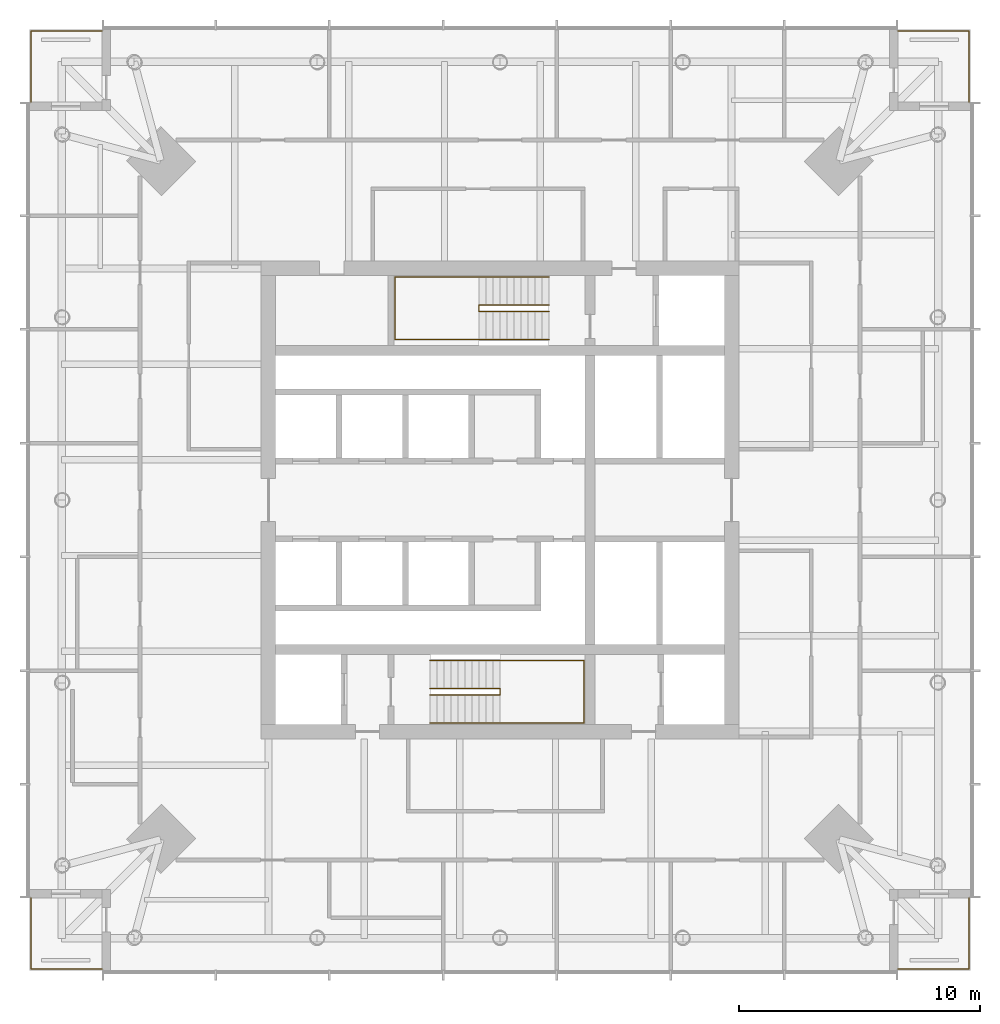
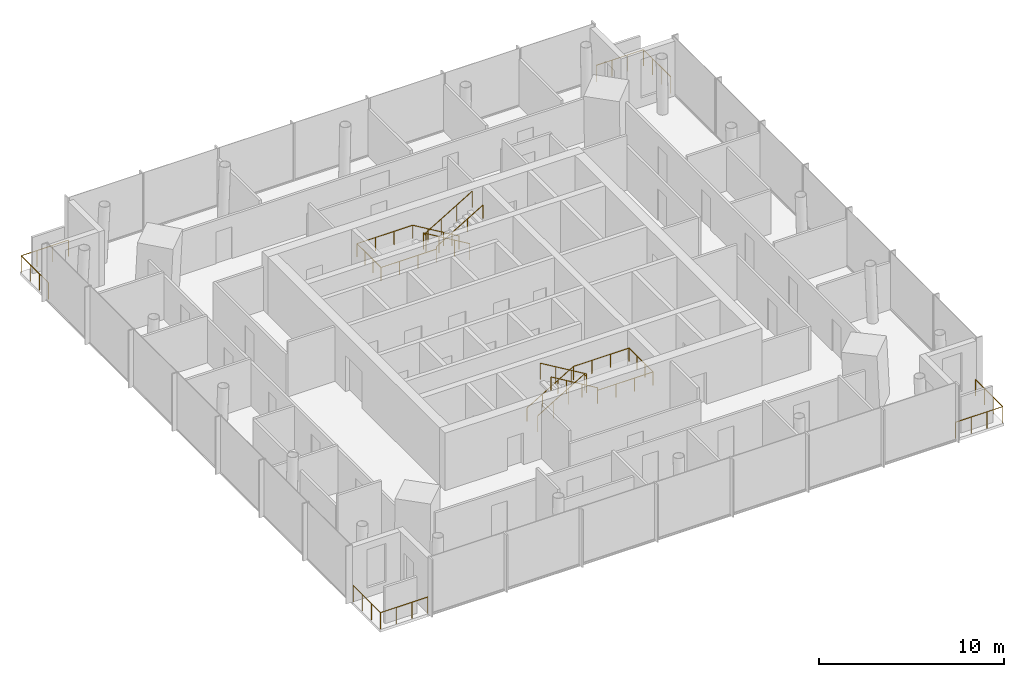
# One storey, part 7 of 7: 8 railings.
"""IFC4 building model written with IfcOpenShell, lengths in metres."""

from ifc_helpers import new_model, si_unit, direction, frame, origin, origin_2d, place, context, subcontext, project, spatial, circle, extrude, material, type_object, element, save


model = new_model("IFC4")

# Units and contexts
model_context = context("Model", 3, precision=1e-05, world=origin(), true_north=direction((0.0, 1.0)))
body_context = subcontext(model_context, "Body", "Model", "MODEL_VIEW")
ifc_project = project(units=[si_unit("LENGTHUNIT", "METRE"), si_unit("AREAUNIT", "SQUARE_METRE"), si_unit("VOLUMEUNIT", "CUBIC_METRE"), si_unit("PLANEANGLEUNIT", "RADIAN"), si_unit("MASSUNIT", "GRAM", prefix="KILO")], contexts=[model_context])

# Site, building, storey
site_placement = place(None, origin())
site = spatial("IfcSite", under=ifc_project, at=site_placement, CompositionType="ELEMENT")
building_placement = place(site_placement, origin())
building = spatial("IfcBuilding", under=site, at=building_placement, Name="Ostroluk Exchange", CompositionType="ELEMENT")
storey_placement = place(building_placement, frame((0.0, 0.0, 203.39990234375)))
storey = spatial("IfcBuildingStorey", under=building, at=storey_placement, Name="L52", CompositionType="ELEMENT", Elevation=203.39990234375)

# Railings
ifc_material_1 = material(Name="Stainless steel", Category="steel")
railing_type_1 = type_object("IfcRailingType", Name="Guard 1100 stainless steel", PredefinedType="GUARDRAIL", material=ifc_material_1)
railing_1_placement = place(storey_placement, frame((61.5, 26.550048828125, 0.0)))
element("IfcRailing", 1, at=railing_1_placement, inside=storey, type_object=railing_type_1, Name="Office tower SE balcony guard L52", PredefinedType="GUARDRAIL", context=body_context, shape_type="SweptSolid", body=[
    extrude(circle(Radius=0.02392578125, at=origin_2d()), frame((0.0, 0.0, 1.076171875), z_axis=(1.0, 0.0, 0.0), x_axis=(0.0, 1.0, 0.0)), (0.0, 0.0, 1.0), 2.949951171875),
    extrude(circle(Radius=0.02392578125, at=origin_2d()), frame((2.949951171875, 0.0, 1.076171875), z_axis=(0.0, 1.0, 0.0), x_axis=(-1.0, 0.0, 0.0)), (0.0, 0.0, 1.0), 2.949951171875),
    extrude(circle(Radius=0.02099609375, at=origin_2d()), origin(), (0.0, 0.0, 1.0), 1.052001953125),
    extrude(circle(Radius=0.02099609375, at=origin_2d()), frame((0.9833984375, 0.0, 0.0)), (0.0, 0.0, 1.0), 1.052001953125),
    extrude(circle(Radius=0.02099609375, at=origin_2d()), frame((1.966552734375, 0.0, 0.0)), (0.0, 0.0, 1.0), 1.052001953125),
    extrude(circle(Radius=0.02099609375, at=origin_2d()), frame((2.949951171875, 0.0, 0.0)), (0.0, 0.0, 1.0), 1.052001953125),
    extrude(circle(Radius=0.02099609375, at=origin_2d()), frame((2.949951171875, 0.9833984375, 0.0)), (0.0, 0.0, 1.0), 1.052001953125),
    extrude(circle(Radius=0.02099609375, at=origin_2d()), frame((2.949951171875, 1.966552734375, 0.0)), (0.0, 0.0, 1.0), 1.052001953125),
    extrude(circle(Radius=0.02099609375, at=origin_2d()), frame((2.949951171875, 2.949951171875, 0.0)), (0.0, 0.0, 1.0), 1.052001953125),
])
railing_2_placement = place(storey_placement, frame((61.5, 65.449951171875, 0.0)))
element("IfcRailing", 2, at=railing_2_placement, inside=storey, type_object=railing_type_1, Name="Office tower NE balcony guard L52", PredefinedType="GUARDRAIL", context=body_context, shape_type="SweptSolid", body=[
    extrude(circle(Radius=0.02392578125, at=origin_2d()), frame((0.0, 0.0, 1.076171875), z_axis=(1.0, 0.0, 0.0), x_axis=(0.0, 1.0, 0.0)), (0.0, 0.0, 1.0), 2.949951171875),
    extrude(circle(Radius=0.02392578125, at=origin_2d()), frame((2.949951171875, 0.0, 1.076171875), z_axis=(0.0, -1.0, 0.0), x_axis=(1.0, 0.0, 0.0)), (0.0, 0.0, 1.0), 2.949951171875),
    extrude(circle(Radius=0.02099609375, at=origin_2d()), origin(), (0.0, 0.0, 1.0), 1.052001953125),
    extrude(circle(Radius=0.02099609375, at=origin_2d()), frame((0.9833984375, 0.0, 0.0)), (0.0, 0.0, 1.0), 1.052001953125),
    extrude(circle(Radius=0.02099609375, at=origin_2d()), frame((1.966552734375, 0.0, 0.0)), (0.0, 0.0, 1.0), 1.052001953125),
    extrude(circle(Radius=0.02099609375, at=origin_2d()), frame((2.949951171875, 0.0, 0.0)), (0.0, 0.0, 1.0), 1.052001953125),
    extrude(circle(Radius=0.02099609375, at=origin_2d()), frame((2.949951171875, -0.9833984375, 0.0)), (0.0, 0.0, 1.0), 1.052001953125),
    extrude(circle(Radius=0.02099609375, at=origin_2d()), frame((2.949951171875, -1.966552734375, 0.0)), (0.0, 0.0, 1.0), 1.052001953125),
    extrude(circle(Radius=0.02099609375, at=origin_2d()), frame((2.949951171875, -2.949951171875, 0.0)), (0.0, 0.0, 1.0), 1.052001953125),
])
railing_3_placement = place(storey_placement, frame((28.5, 65.449951171875, 0.0)))
element("IfcRailing", 3, at=railing_3_placement, inside=storey, type_object=railing_type_1, Name="Office tower NW balcony guard L52", PredefinedType="GUARDRAIL", context=body_context, shape_type="SweptSolid", body=[
    extrude(circle(Radius=0.02392578125, at=origin_2d()), frame((0.0, 0.0, 1.076171875), z_axis=(-1.0, 0.0, 0.0), x_axis=(0.0, -1.0, 0.0)), (0.0, 0.0, 1.0), 2.949951171875),
    extrude(circle(Radius=0.02392578125, at=origin_2d()), frame((-2.949951171875, 0.0, 1.076171875), z_axis=(0.0, -1.0, 0.0), x_axis=(1.0, 0.0, 0.0)), (0.0, 0.0, 1.0), 2.949951171875),
    extrude(circle(Radius=0.02099609375, at=origin_2d()), origin(), (0.0, 0.0, 1.0), 1.052001953125),
    extrude(circle(Radius=0.02099609375, at=origin_2d()), frame((-0.9833984375, 0.0, 0.0)), (0.0, 0.0, 1.0), 1.052001953125),
    extrude(circle(Radius=0.02099609375, at=origin_2d()), frame((-1.966552734375, 0.0, 0.0)), (0.0, 0.0, 1.0), 1.052001953125),
    extrude(circle(Radius=0.02099609375, at=origin_2d()), frame((-2.949951171875, 0.0, 0.0)), (0.0, 0.0, 1.0), 1.052001953125),
    extrude(circle(Radius=0.02099609375, at=origin_2d()), frame((-2.949951171875, -0.9833984375, 0.0)), (0.0, 0.0, 1.0), 1.052001953125),
    extrude(circle(Radius=0.02099609375, at=origin_2d()), frame((-2.949951171875, -1.966552734375, 0.0)), (0.0, 0.0, 1.0), 1.052001953125),
    extrude(circle(Radius=0.02099609375, at=origin_2d()), frame((-2.949951171875, -2.949951171875, 0.0)), (0.0, 0.0, 1.0), 1.052001953125),
])
railing_4_placement = place(storey_placement, frame((28.5, 26.550048828125, 0.0)))
element("IfcRailing", 4, at=railing_4_placement, inside=storey, type_object=railing_type_1, Name="Office tower SW balcony guard L52", PredefinedType="GUARDRAIL", context=body_context, shape_type="SweptSolid", body=[
    extrude(circle(Radius=0.02392578125, at=origin_2d()), frame((0.0, 0.0, 1.076171875), z_axis=(-1.0, 0.0, 0.0), x_axis=(0.0, -1.0, 0.0)), (0.0, 0.0, 1.0), 2.949951171875),
    extrude(circle(Radius=0.02392578125, at=origin_2d()), frame((-2.949951171875, 0.0, 1.076171875), z_axis=(0.0, 1.0, 0.0), x_axis=(-1.0, 0.0, 0.0)), (0.0, 0.0, 1.0), 2.949951171875),
    extrude(circle(Radius=0.02099609375, at=origin_2d()), origin(), (0.0, 0.0, 1.0), 1.052001953125),
    extrude(circle(Radius=0.02099609375, at=origin_2d()), frame((-0.9833984375, 0.0, 0.0)), (0.0, 0.0, 1.0), 1.052001953125),
    extrude(circle(Radius=0.02099609375, at=origin_2d()), frame((-1.966552734375, 0.0, 0.0)), (0.0, 0.0, 1.0), 1.052001953125),
    extrude(circle(Radius=0.02099609375, at=origin_2d()), frame((-2.949951171875, 0.0, 0.0)), (0.0, 0.0, 1.0), 1.052001953125),
    extrude(circle(Radius=0.02099609375, at=origin_2d()), frame((-2.949951171875, 0.9833984375, 0.0)), (0.0, 0.0, 1.0), 1.052001953125),
    extrude(circle(Radius=0.02099609375, at=origin_2d()), frame((-2.949951171875, 1.966552734375, 0.0)), (0.0, 0.0, 1.0), 1.052001953125),
    extrude(circle(Radius=0.02099609375, at=origin_2d()), frame((-2.949951171875, 2.949951171875, 0.0)), (0.0, 0.0, 1.0), 1.052001953125),
])
ifc_material_2 = material(Name="Steel S355", Category="steel")
railing_type_2 = type_object("IfcRailingType", Name="Stair guard 1100", PredefinedType="GUARDRAIL", material=ifc_material_2)
railing_5_placement = place(storey_placement, frame((42.10009765625, 38.179931640625, 0.1728515625)))
element("IfcRailing", 5, at=railing_5_placement, inside=storey, type_object=railing_type_2, Name="Stair T1-S1 guard L52", PredefinedType="GUARDRAIL", context=body_context, shape_type="SweptSolid", body=[
    extrude(circle(Radius=0.02392578125, at=origin_2d()), frame((0.0, 0.0, 1.076171875), z_axis=(0.859141464434, 0.0, 0.511738159696), x_axis=(0.0, 1.0, 0.0)), (0.0, 0.0, 1.0), 3.375244140625),
    extrude(circle(Radius=0.02392578125, at=origin_2d()), frame((2.89990234375, 0.0, 2.80322265625), z_axis=(0.0, -1.0, 0.0), x_axis=(1.0, 0.0, 0.0)), (0.0, 0.0, 1.0), 0.260009765625),
    extrude(circle(Radius=0.02392578125, at=origin_2d()), frame((2.89990234375, -0.260009765625, 2.80322265625), z_axis=(0.0, 0.0, 1.0), x_axis=(1.0, 0.0, 0.0)), (0.0, 0.0, 1.0), 0.172607421875),
    extrude(circle(Radius=0.02392578125, at=origin_2d()), frame((2.89990234375, -0.260009765625, 2.97607421875), z_axis=(-0.859141464434, 0.0, 0.511738159696), x_axis=(0.0, -1.0, 0.0)), (0.0, 0.0, 1.0), 3.375244140625),
    extrude(circle(Radius=0.02099609375, at=origin_2d()), origin(), (0.0, 0.0, 1.0), 1.052001953125),
    extrude(circle(Radius=0.02099609375, at=origin_2d()), frame((0.966552734375, 0.0, 0.57568359375)), (0.0, 0.0, 1.0), 1.052001953125),
    extrude(circle(Radius=0.02099609375, at=origin_2d()), frame((1.933349609375, 0.0, 1.151611328125)), (0.0, 0.0, 1.0), 1.052001953125),
    extrude(circle(Radius=0.02099609375, at=origin_2d()), frame((2.89990234375, 0.0, 1.727294921875)), (0.0, 0.0, 1.0), 1.052001953125),
    extrude(circle(Radius=0.02099609375, at=origin_2d()), frame((2.89990234375, -0.260009765625, 1.727294921875)), (0.0, 0.0, 1.0), 1.052001953125),
    extrude(circle(Radius=0.02099609375, at=origin_2d()), frame((2.89990234375, -0.260009765625, 1.89990234375)), (0.0, 0.0, 1.0), 1.052001953125),
    extrude(circle(Radius=0.02099609375, at=origin_2d()), frame((1.933349609375, -0.260009765625, 2.4755859375)), (0.0, 0.0, 1.0), 1.052001953125),
    extrude(circle(Radius=0.02099609375, at=origin_2d()), frame((0.966552734375, -0.260009765625, 3.051513671875)), (0.0, 0.0, 1.0), 1.052001953125),
    extrude(circle(Radius=0.02099609375, at=origin_2d()), frame((0.0, -0.260009765625, 3.627197265625)), (0.0, 0.0, 1.0), 1.052001953125),
])
railing_6_placement = place(storey_placement, frame((47.030029296875, 54.080078125, 0.1728515625)))
element("IfcRailing", 6, at=railing_6_placement, inside=storey, type_object=railing_type_2, Name="Stair T1-S2 guard L52", PredefinedType="GUARDRAIL", context=body_context, shape_type="SweptSolid", body=[
    extrude(circle(Radius=0.02392578125, at=origin_2d()), frame((0.0, 0.0, 1.076171875), z_axis=(-0.859160404282, 0.0, 0.51170636083), x_axis=(0.0, -1.0, 0.0)), (0.0, 0.0, 1.0), 3.37548828125),
    extrude(circle(Radius=0.02392578125, at=origin_2d()), frame((-2.900146484375, 0.0, 2.80322265625), z_axis=(0.0, -1.0, 0.0), x_axis=(1.0, 0.0, 0.0)), (0.0, 0.0, 1.0), 0.260009765625),
    extrude(circle(Radius=0.02392578125, at=origin_2d()), frame((-2.900146484375, -0.260009765625, 2.80322265625), z_axis=(0.0, 0.0, 1.0), x_axis=(1.0, 0.0, 0.0)), (0.0, 0.0, 1.0), 0.172607421875),
    extrude(circle(Radius=0.02392578125, at=origin_2d()), frame((-2.900146484375, -0.260009765625, 2.97607421875), z_axis=(0.859160404282, 0.0, 0.51170636083), x_axis=(0.0, 1.0, 0.0)), (0.0, 0.0, 1.0), 3.37548828125),
    extrude(circle(Radius=0.02099609375, at=origin_2d()), origin(), (0.0, 0.0, 1.0), 1.052001953125),
    extrude(circle(Radius=0.02099609375, at=origin_2d()), frame((-0.966796875, 0.0, 0.57568359375)), (0.0, 0.0, 1.0), 1.052001953125),
    extrude(circle(Radius=0.02099609375, at=origin_2d()), frame((-1.933349609375, 0.0, 1.151611328125)), (0.0, 0.0, 1.0), 1.052001953125),
    extrude(circle(Radius=0.02099609375, at=origin_2d()), frame((-2.900146484375, 0.0, 1.727294921875)), (0.0, 0.0, 1.0), 1.052001953125),
    extrude(circle(Radius=0.02099609375, at=origin_2d()), frame((-2.900146484375, -0.260009765625, 1.727294921875)), (0.0, 0.0, 1.0), 1.052001953125),
    extrude(circle(Radius=0.02099609375, at=origin_2d()), frame((-2.900146484375, -0.260009765625, 1.89990234375)), (0.0, 0.0, 1.0), 1.052001953125),
    extrude(circle(Radius=0.02099609375, at=origin_2d()), frame((-1.933349609375, -0.260009765625, 2.4755859375)), (0.0, 0.0, 1.0), 1.052001953125),
    extrude(circle(Radius=0.02099609375, at=origin_2d()), frame((-0.966796875, -0.260009765625, 3.051513671875)), (0.0, 0.0, 1.0), 1.052001953125),
    extrude(circle(Radius=0.02099609375, at=origin_2d()), frame((0.0, -0.260009765625, 3.627197265625)), (0.0, 0.0, 1.0), 1.052001953125),
])
ifc_material_3 = material(Name="Stainless steel", Category="steel")
railing_type_3 = type_object("IfcRailingType", Name="Stair handrail 900", PredefinedType="HANDRAIL", material=ifc_material_3)
railing_7_placement = place(storey_placement, frame((42.10009765625, 39.35009765625, 0.1728515625)))
element("IfcRailing", 7, at=railing_7_placement, inside=storey, type_object=railing_type_3, Name="Stair T1-S1 handrail L52", PredefinedType="HANDRAIL", context=body_context, shape_type="SweptSolid", body=[
    extrude(circle(Radius=0.02392578125, at=origin_2d()), frame((0.0, 0.0, 0.8759765625), z_axis=(0.859141464434, 0.0, 0.511738159696), x_axis=(0.0, 1.0, 0.0)), (0.0, 0.0, 1.0), 3.375244140625),
    extrude(circle(Radius=0.02392578125, at=origin_2d()), frame((2.89990234375, 0.0, 2.60302734375), z_axis=(1.0, 0.0, 0.0), x_axis=(0.0, 1.0, 0.0)), (0.0, 0.0, 1.0), 3.47998046875),
    extrude(circle(Radius=0.02392578125, at=origin_2d()), frame((6.3798828125, 0.0, 2.60302734375), z_axis=(0.0, -1.0, 0.0), x_axis=(1.0, 0.0, 0.0)), (0.0, 0.0, 1.0), 2.60009765625),
    extrude(circle(Radius=0.02392578125, at=origin_2d()), frame((6.3798828125, -2.60009765625, 2.60302734375), z_axis=(-1.0, 0.0, 0.0), x_axis=(0.0, -1.0, 0.0)), (0.0, 0.0, 1.0), 3.47998046875),
    extrude(circle(Radius=0.02392578125, at=origin_2d()), frame((2.89990234375, -2.60009765625, 2.60302734375), z_axis=(0.0, 0.0, 1.0), x_axis=(1.0, 0.0, 0.0)), (0.0, 0.0, 1.0), 0.172607421875),
    extrude(circle(Radius=0.02392578125, at=origin_2d()), frame((2.89990234375, -2.60009765625, 2.77587890625), z_axis=(-0.859141464434, 0.0, 0.511738159696), x_axis=(0.0, -1.0, 0.0)), (0.0, 0.0, 1.0), 3.375244140625),
    extrude(circle(Radius=0.02099609375, at=origin_2d()), origin(), (0.0, 0.0, 1.0), 0.851806640625),
    extrude(circle(Radius=0.02099609375, at=origin_2d()), frame((0.966552734375, 0.0, 0.57568359375)), (0.0, 0.0, 1.0), 0.851806640625),
    extrude(circle(Radius=0.02099609375, at=origin_2d()), frame((1.933349609375, 0.0, 1.151611328125)), (0.0, 0.0, 1.0), 0.851806640625),
    extrude(circle(Radius=0.02099609375, at=origin_2d()), frame((2.89990234375, 0.0, 1.727294921875)), (0.0, 0.0, 1.0), 0.851806640625),
    extrude(circle(Radius=0.02099609375, at=origin_2d()), frame((4.059814453125, 0.0, 1.727294921875)), (0.0, 0.0, 1.0), 0.851806640625),
    extrude(circle(Radius=0.02099609375, at=origin_2d()), frame((5.219970703125, 0.0, 1.727294921875)), (0.0, 0.0, 1.0), 0.851806640625),
    extrude(circle(Radius=0.02099609375, at=origin_2d()), frame((6.3798828125, 0.0, 1.727294921875)), (0.0, 0.0, 1.0), 0.851806640625),
    extrude(circle(Radius=0.02099609375, at=origin_2d()), frame((6.3798828125, -0.86669921875, 1.727294921875)), (0.0, 0.0, 1.0), 0.851806640625),
    extrude(circle(Radius=0.02099609375, at=origin_2d()), frame((6.3798828125, -1.7333984375, 1.727294921875)), (0.0, 0.0, 1.0), 0.851806640625),
    extrude(circle(Radius=0.02099609375, at=origin_2d()), frame((6.3798828125, -2.60009765625, 1.727294921875)), (0.0, 0.0, 1.0), 0.851806640625),
    extrude(circle(Radius=0.02099609375, at=origin_2d()), frame((5.219970703125, -2.60009765625, 1.727294921875)), (0.0, 0.0, 1.0), 0.851806640625),
    extrude(circle(Radius=0.02099609375, at=origin_2d()), frame((4.059814453125, -2.60009765625, 1.727294921875)), (0.0, 0.0, 1.0), 0.851806640625),
    extrude(circle(Radius=0.02099609375, at=origin_2d()), frame((2.89990234375, -2.60009765625, 1.727294921875)), (0.0, 0.0, 1.0), 0.851806640625),
    extrude(circle(Radius=0.02099609375, at=origin_2d()), frame((2.89990234375, -2.60009765625, 1.89990234375)), (0.0, 0.0, 1.0), 0.851806640625),
    extrude(circle(Radius=0.02099609375, at=origin_2d()), frame((1.933349609375, -2.60009765625, 2.4755859375)), (0.0, 0.0, 1.0), 0.851806640625),
    extrude(circle(Radius=0.02099609375, at=origin_2d()), frame((0.966552734375, -2.60009765625, 3.051513671875)), (0.0, 0.0, 1.0), 0.851806640625),
    extrude(circle(Radius=0.02099609375, at=origin_2d()), frame((0.0, -2.60009765625, 3.627197265625)), (0.0, 0.0, 1.0), 0.851806640625),
])
railing_8_placement = place(storey_placement, frame((47.030029296875, 55.25, 0.1728515625)))
element("IfcRailing", 8, at=railing_8_placement, inside=storey, type_object=railing_type_3, Name="Stair T1-S2 handrail L52", PredefinedType="HANDRAIL", context=body_context, shape_type="SweptSolid", body=[
    extrude(circle(Radius=0.02392578125, at=origin_2d()), frame((0.0, 0.0, 0.8759765625), z_axis=(-0.859160404282, 0.0, 0.51170636083), x_axis=(0.0, -1.0, 0.0)), (0.0, 0.0, 1.0), 3.37548828125),
    extrude(circle(Radius=0.02392578125, at=origin_2d()), frame((-2.900146484375, 0.0, 2.60302734375), z_axis=(-1.0, 0.0, 0.0), x_axis=(0.0, -1.0, 0.0)), (0.0, 0.0, 1.0), 3.47998046875),
    extrude(circle(Radius=0.02392578125, at=origin_2d()), frame((-6.380126953125, 0.0, 2.60302734375), z_axis=(0.0, -1.0, 0.0), x_axis=(1.0, 0.0, 0.0)), (0.0, 0.0, 1.0), 2.60009765625),
    extrude(circle(Radius=0.02392578125, at=origin_2d()), frame((-6.380126953125, -2.60009765625, 2.60302734375), z_axis=(1.0, 0.0, 0.0), x_axis=(0.0, 1.0, 0.0)), (0.0, 0.0, 1.0), 3.47998046875),
    extrude(circle(Radius=0.02392578125, at=origin_2d()), frame((-2.900146484375, -2.60009765625, 2.60302734375), z_axis=(0.0, 0.0, 1.0), x_axis=(1.0, 0.0, 0.0)), (0.0, 0.0, 1.0), 0.172607421875),
    extrude(circle(Radius=0.02392578125, at=origin_2d()), frame((-2.900146484375, -2.60009765625, 2.77587890625), z_axis=(0.859160404282, 0.0, 0.51170636083), x_axis=(0.0, 1.0, 0.0)), (0.0, 0.0, 1.0), 3.37548828125),
    extrude(circle(Radius=0.02099609375, at=origin_2d()), origin(), (0.0, 0.0, 1.0), 0.851806640625),
    extrude(circle(Radius=0.02099609375, at=origin_2d()), frame((-0.966796875, 0.0, 0.57568359375)), (0.0, 0.0, 1.0), 0.851806640625),
    extrude(circle(Radius=0.02099609375, at=origin_2d()), frame((-1.933349609375, 0.0, 1.151611328125)), (0.0, 0.0, 1.0), 0.851806640625),
    extrude(circle(Radius=0.02099609375, at=origin_2d()), frame((-2.900146484375, 0.0, 1.727294921875)), (0.0, 0.0, 1.0), 0.851806640625),
    extrude(circle(Radius=0.02099609375, at=origin_2d()), frame((-4.06005859375, 0.0, 1.727294921875)), (0.0, 0.0, 1.0), 0.851806640625),
    extrude(circle(Radius=0.02099609375, at=origin_2d()), frame((-5.22021484375, 0.0, 1.727294921875)), (0.0, 0.0, 1.0), 0.851806640625),
    extrude(circle(Radius=0.02099609375, at=origin_2d()), frame((-6.380126953125, 0.0, 1.727294921875)), (0.0, 0.0, 1.0), 0.851806640625),
    extrude(circle(Radius=0.02099609375, at=origin_2d()), frame((-6.380126953125, -0.86669921875, 1.727294921875)), (0.0, 0.0, 1.0), 0.851806640625),
    extrude(circle(Radius=0.02099609375, at=origin_2d()), frame((-6.380126953125, -1.7333984375, 1.727294921875)), (0.0, 0.0, 1.0), 0.851806640625),
    extrude(circle(Radius=0.02099609375, at=origin_2d()), frame((-6.380126953125, -2.60009765625, 1.727294921875)), (0.0, 0.0, 1.0), 0.851806640625),
    extrude(circle(Radius=0.02099609375, at=origin_2d()), frame((-5.22021484375, -2.60009765625, 1.727294921875)), (0.0, 0.0, 1.0), 0.851806640625),
    extrude(circle(Radius=0.02099609375, at=origin_2d()), frame((-4.06005859375, -2.60009765625, 1.727294921875)), (0.0, 0.0, 1.0), 0.851806640625),
    extrude(circle(Radius=0.02099609375, at=origin_2d()), frame((-2.900146484375, -2.60009765625, 1.727294921875)), (0.0, 0.0, 1.0), 0.851806640625),
    extrude(circle(Radius=0.02099609375, at=origin_2d()), frame((-2.900146484375, -2.60009765625, 1.89990234375)), (0.0, 0.0, 1.0), 0.851806640625),
    extrude(circle(Radius=0.02099609375, at=origin_2d()), frame((-1.933349609375, -2.60009765625, 2.4755859375)), (0.0, 0.0, 1.0), 0.851806640625),
    extrude(circle(Radius=0.02099609375, at=origin_2d()), frame((-0.966796875, -2.60009765625, 3.051513671875)), (0.0, 0.0, 1.0), 0.851806640625),
    extrude(circle(Radius=0.02099609375, at=origin_2d()), frame((0.0, -2.60009765625, 3.627197265625)), (0.0, 0.0, 1.0), 0.851806640625),
])

save(model, "model.ifc")
